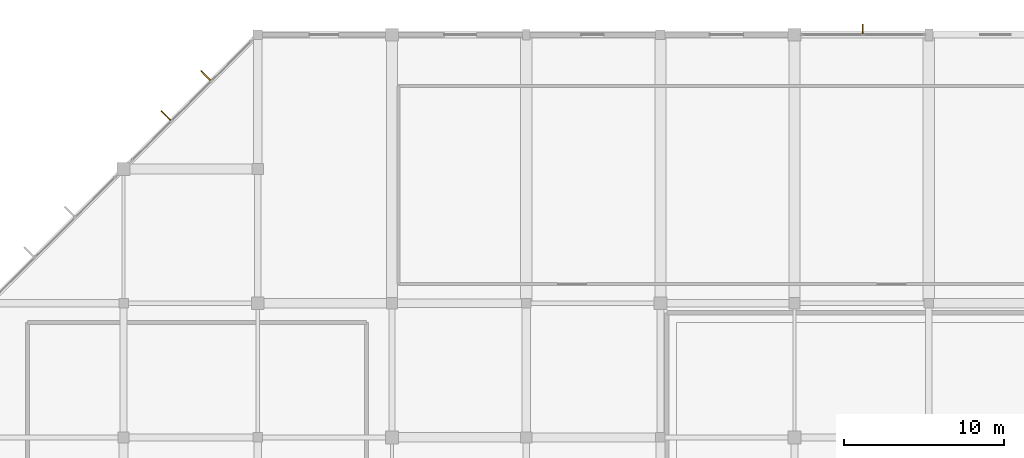
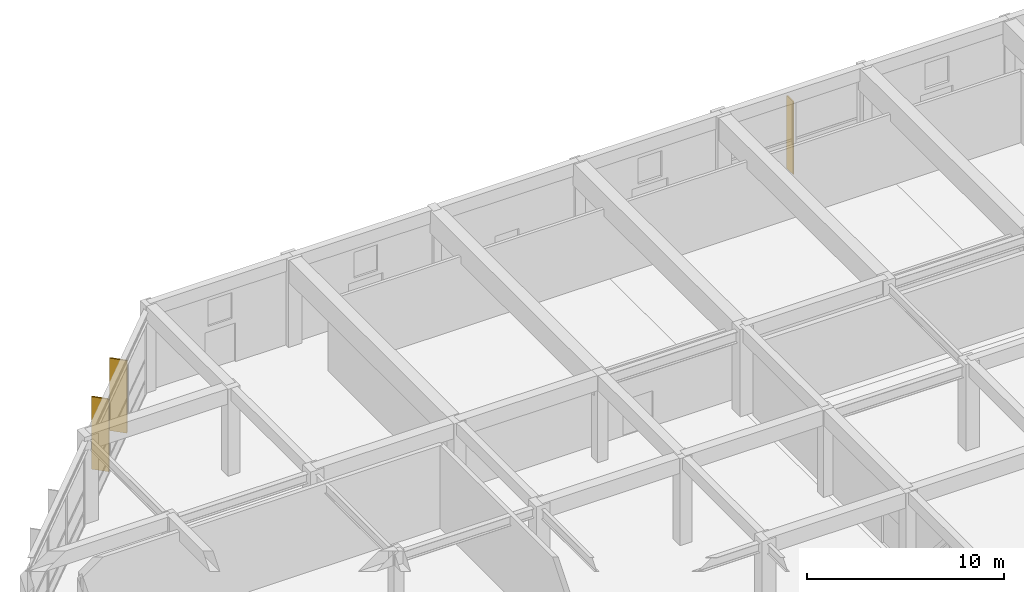
# One storey, part 58 of 62: 3 shading devices.
"""IFC4 building model written with IfcOpenShell, lengths in metres."""

import ifcopenshell
import ifcopenshell.guid

model = None  # the IFC model being written
_history = None  # IfcOwnerHistory: only IFC2X3 demands one
_inside = {}  # id of a spatial element -> (the spatial element, [elements in it])
_under = {}  # id of a project, library or spatial element -> (it, [spatial elements below it])
_declared = {}  # id of a project -> (the project, [libraries it declares])
_typed = {}  # id of a type object -> (the type object, [elements of that type])
_made_of = {}  # id of a material, layer set ... -> (it, [elements and type objects made of it])


def new_model(schema):
    """Start an empty IFC model of exactly this schema.

    Asked for "IFC4X3", IfcOpenShell would pick the latest addendum, in which some entities
    have other attributes; the version numbers below select the first issue.
    IFC2X3 requires an IfcOwnerHistory on every rooted entity: one is made here for all.
    """
    global model, _history
    if schema == "IFC4X3":
        model = ifcopenshell.file(schema_version=(4, 3, 0, 0))
    else:
        model = ifcopenshell.file(schema=schema)
    _inside.clear()
    _under.clear()
    _declared.clear()
    _typed.clear()
    _made_of.clear()
    _history = None
    if model.schema == "IFC2X3":
        org = make("IfcOrganization", Name="unknown")
        user = make(
            "IfcPersonAndOrganization",
            ThePerson=make("IfcPerson", FamilyName="unknown"),
            TheOrganization=org,
        )
        app = make(
            "IfcApplication",
            ApplicationDeveloper=org,
            Version="unknown",
            ApplicationFullName="unknown",
            ApplicationIdentifier="unknown",
        )
        _history = make(
            "IfcOwnerHistory",
            OwningUser=user,
            OwningApplication=app,
            ChangeAction="ADDED",
            CreationDate=0,
        )
    return model


def make(cls, **values):
    """One entity of the class cls with the attributes given. An attribute that is None is left unset."""
    return model.create_entity(
        cls, **{name: value for name, value in values.items() if value is not None}
    )


def rooted(cls, **values):
    """An entity with a GlobalId (a new one), such as an element, a storey or a relation."""
    return make(cls, GlobalId=ifcopenshell.guid.new(), OwnerHistory=_history, **values)


def si_unit(unit_type, name, prefix=None):
    """IfcSIUnit, for example si_unit("LENGTHUNIT", "METRE", prefix="MILLI")."""
    return make("IfcSIUnit", UnitType=unit_type, Prefix=prefix, Name=name)


def assignment(units):
    """IfcUnitAssignment: the units of a project."""
    return None if units is None else make("IfcUnitAssignment", Units=units)


def point(xyz):
    """IfcCartesianPoint."""
    return None if xyz is None else make("IfcCartesianPoint", Coordinates=xyz)


def direction(xyz):
    """IfcDirection."""
    return None if xyz is None else make("IfcDirection", DirectionRatios=xyz)


def frame(location, z_axis=None, x_axis=None):
    """IfcAxis2Placement3D, a coordinate frame: its origin and axes. An axis left out is left unset."""
    return make(
        "IfcAxis2Placement3D",
        Location=point(location),
        Axis=direction(z_axis),
        RefDirection=direction(x_axis),
    )


def frame_2d(location, x_axis=None):
    """IfcAxis2Placement2D, a coordinate frame in the plane: its origin and x axis."""
    return make(
        "IfcAxis2Placement2D", Location=point(location), RefDirection=direction(x_axis)
    )


def origin():
    """The frame at (0, 0, 0) with its axes left unset."""
    return frame((0.0, 0.0, 0.0))


def origin_2d():
    """The frame at (0, 0) in the plane with its x axis left unset."""
    return frame_2d((0.0, 0.0))


def place(relative_to, where):
    """IfcLocalPlacement: puts the frame where relative to a parent placement (None: the world)."""
    return make(
        "IfcLocalPlacement", PlacementRelTo=relative_to, RelativePlacement=where
    )


def context(
    kind, dimensions, precision=None, world=None, true_north=None, identifier=None
):
    """IfcGeometricRepresentationContext, for example the 3D "Model" context."""
    return make(
        "IfcGeometricRepresentationContext",
        ContextIdentifier=identifier,
        ContextType=kind,
        CoordinateSpaceDimension=dimensions,
        Precision=precision,
        WorldCoordinateSystem=world,
        TrueNorth=true_north,
    )


def subcontext(parent, identifier, kind, view, scale=None):
    """IfcGeometricRepresentationSubContext, for example "Body" below "Model"."""
    return make(
        "IfcGeometricRepresentationSubContext",
        ContextIdentifier=identifier,
        ContextType=kind,
        ParentContext=parent,
        TargetScale=scale,
        TargetView=view,
    )


def project(units=None, contexts=None):
    """IfcProject with its units and contexts."""
    return rooted(
        "IfcProject",
        Name="project",
        RepresentationContexts=contexts,
        UnitsInContext=assignment(units),
    )


def spatial(cls, under=None, at=None, **own):
    """A site, building, storey or space (cls), placed at a placement, below another one or the project."""
    s = rooted(cls, ObjectPlacement=at, **own)
    if under is not None:
        _under.setdefault(under.id(), (under, []))[1].append(s)
    return s


def profile(cls, at=None, kind="AREA", **sizes):
    """A parametric profile (cls). Its sizes go by their IFC names, for example OverallWidth=200.0."""
    return make(cls, ProfileType=kind, Position=at, **sizes)


def rectangle(**sizes):
    """IfcRectangleProfileDef."""
    return profile("IfcRectangleProfileDef", **sizes)


def extrude(swept, where, along, depth):
    """IfcExtrudedAreaSolid: the profile swept, set in the frame where, extruded along a direction by depth."""
    return make(
        "IfcExtrudedAreaSolid",
        SweptArea=swept,
        Position=where,
        ExtrudedDirection=direction(along),
        Depth=depth,
    )


def shape(context_of_items, identifier, shape_type, items):
    """IfcShapeRepresentation: the items that make up one representation, for example the "Body"."""
    return make(
        "IfcShapeRepresentation",
        ContextOfItems=context_of_items,
        RepresentationIdentifier=identifier,
        RepresentationType=shape_type,
        Items=items,
    )


def material(Name=None, Category=None):
    """IfcMaterial."""
    return make("IfcMaterial", Name=Name, Category=Category)


def made_of(thing, what):
    """Note that an element or type object is made of a material, layer set ...; save() writes the relation."""
    if what is not None:
        _made_of.setdefault(what.id(), (what, []))[1].append(thing)
    return thing


def type_object(cls, material=None, **own):
    """A type object (cls), such as IfcWallType, which elements share."""
    return made_of(rooted(cls, **own), material)


def element(
    cls,
    number,
    at=None,
    inside=None,
    cuts=None,
    type_object=None,
    material=None,
    context=None,
    identifier="Body",
    shape_type=None,
    held_by="IfcProductDefinitionShape",
    body=None,
    shapes=None,
    **own,
):
    """One element of the class cls, such as IfcWall. Its Tag is "e" and its number.

    at: its placement. inside: the storey or other place that contains it. cuts: it is an
    opening in that element (IfcRelVoidsElement). A single representation is given by context,
    identifier, shape_type and body (its items); several are given by shapes. held_by: the class
    of the entity that holds the representations. save() writes the other relations.
    """
    e = rooted(cls, Tag="e%d" % number, ObjectPlacement=at, **own)
    if body is not None:
        shapes = [shape(context, identifier, shape_type, body)]
    if shapes is not None:
        e.Representation = make(held_by, Representations=shapes)
    if inside is not None:
        _inside.setdefault(inside.id(), (inside, []))[1].append(e)
    if cuts is not None:
        rooted(
            "IfcRelVoidsElement", RelatingBuildingElement=cuts, RelatedOpeningElement=e
        )
    if type_object is not None:
        _typed.setdefault(type_object.id(), (type_object, []))[1].append(e)
    return made_of(e, material)


def aggregate(whole, parts):
    """IfcRelAggregates: a whole, such as a stair, and the parts it consists of."""
    return rooted("IfcRelAggregates", RelatingObject=whole, RelatedObjects=parts)


def save(model, path):
    """Write the relations noted so far, then the file.

    IfcRelAggregates (storeys below a building ...), IfcRelContainedInSpatialStructure (elements
    in a storey), IfcRelDefinesByType, IfcRelAssociatesMaterial and IfcRelDeclares: one each for
    every whole, place, type object, material and project.
    """
    for whole, parts in _under.values():
        aggregate(whole, parts)
    for where, things in _inside.values():
        rooted(
            "IfcRelContainedInSpatialStructure",
            RelatedElements=things,
            RelatingStructure=where,
        )
    for kind, things in _typed.values():
        rooted("IfcRelDefinesByType", RelatedObjects=things, RelatingType=kind)
    for what, things in _made_of.values():
        rooted("IfcRelAssociatesMaterial", RelatedObjects=things, RelatingMaterial=what)
    for by, libraries in _declared.values():
        rooted("IfcRelDeclares", RelatingContext=by, RelatedDefinitions=libraries)
    model.write(path)


model = new_model("IFC4")

# Units and contexts
model_context = context("Model", 3, precision=1e-05, world=origin(), true_north=direction((0.0, 1.0)))
body_context = subcontext(model_context, "Body", "Model", "MODEL_VIEW")
ifc_project = project(units=[si_unit("LENGTHUNIT", "METRE"), si_unit("AREAUNIT", "SQUARE_METRE"), si_unit("VOLUMEUNIT", "CUBIC_METRE"), si_unit("PLANEANGLEUNIT", "RADIAN"), si_unit("MASSUNIT", "GRAM", prefix="KILO")], contexts=[model_context])

# Site, building, storey
site_placement = place(None, origin())
site = spatial("IfcSite", under=ifc_project, at=site_placement, CompositionType="ELEMENT")
building_placement = place(site_placement, origin())
building = spatial("IfcBuilding", under=site, at=building_placement, Name="Xuanlan Plaza Opera House", CompositionType="ELEMENT")
storey_placement = place(building_placement, origin())
storey = spatial("IfcBuildingStorey", under=building, at=storey_placement, Name="L00", CompositionType="ELEMENT", Elevation=0.0)

# Shading devices
ifc_material = material(Name="Anodised Aluminium 6063-T6", Category="aluminium")
shading_device_type_1 = type_object("IfcShadingDeviceType", Name="ENV-SHD-BRS01", PredefinedType="JALOUSIE", material=ifc_material)
shading_device_placement = place(storey_placement, frame((54.675048828125, 117.925048828125, 0.0400390625), z_axis=(0.0, 0.0, 1.0), x_axis=(0.0, 1.0, 0.0)))
element("IfcShadingDevice", 1, at=shading_device_placement, inside=storey, type_object=shading_device_type_1, Name="Parametric Sunshade Fin L00-0027", PredefinedType="JALOUSIE", context=body_context, shape_type="SweptSolid", body=[
    extrude(rectangle(XDim=0.639892578125, YDim=0.070068359375, at=origin_2d()), origin(), (0.0, 0.0, 1.0), 4.5),
])
shading_device_type_2 = type_object("IfcShadingDeviceType", Name="ENV-SHD-BRS02", PredefinedType="JALOUSIE", material=ifc_material)
for number, where, z_axis, x_axis, name in (
    (2, (13.571533203125, 115.029052734375, 0.0400390625), (0.0, 0.0, 1.0), (-0.707106781187, 0.707106781187, 0.0), "Parametric Sunshade Fin L00-0028"),
    (3, (11.07080078125, 112.528564453125, 0.0400390625), (0.0, 0.0, 1.0), (-0.707106781187, 0.707106781187, 0.0), "Parametric Sunshade Fin L00-0029"),
):
    element("IfcShadingDevice", number, at=place(storey_placement, frame(where, z_axis=z_axis, x_axis=x_axis)), inside=storey, type_object=shading_device_type_2, Name=name, PredefinedType="JALOUSIE", context=body_context, shape_type="SweptSolid", body=[
        extrude(rectangle(XDim=0.919921875, YDim=0.080078125, at=origin_2d()), origin(), (0.0, 0.0, 1.0), 4.5),
    ])

save(model, "model.ifc")
